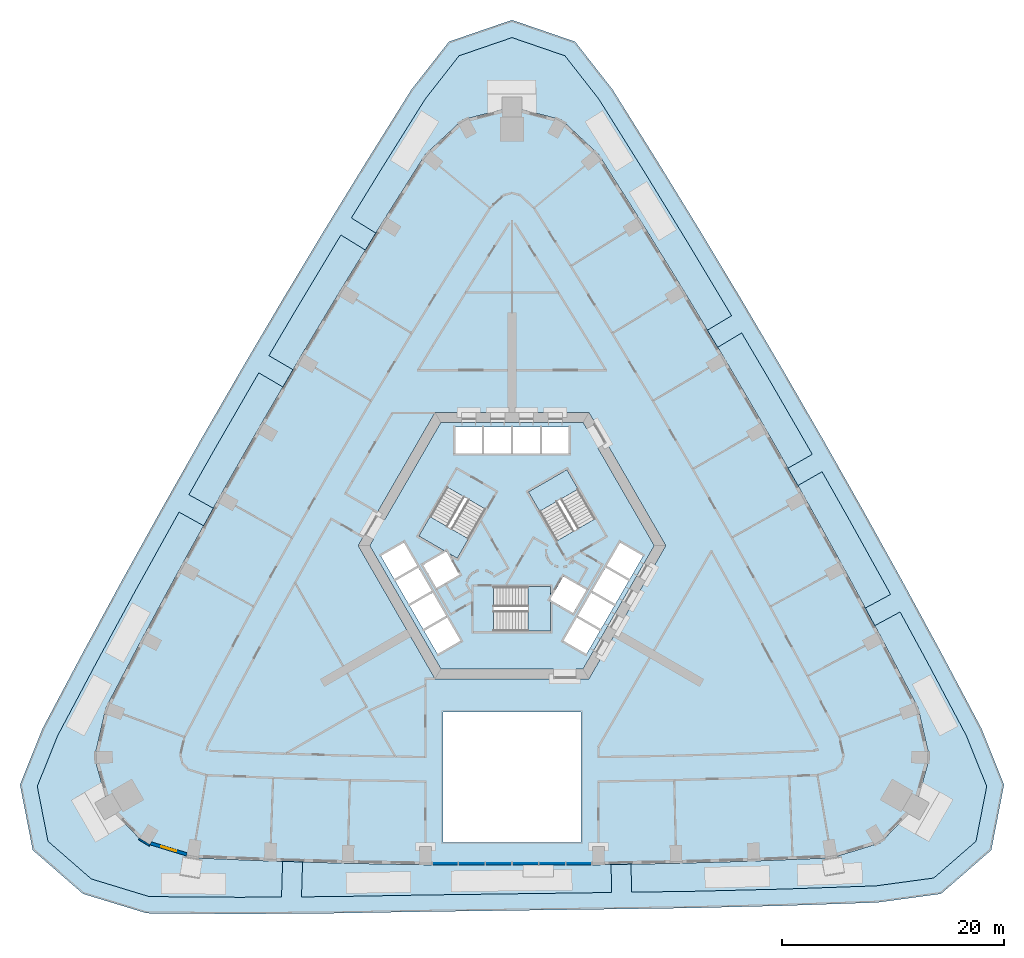
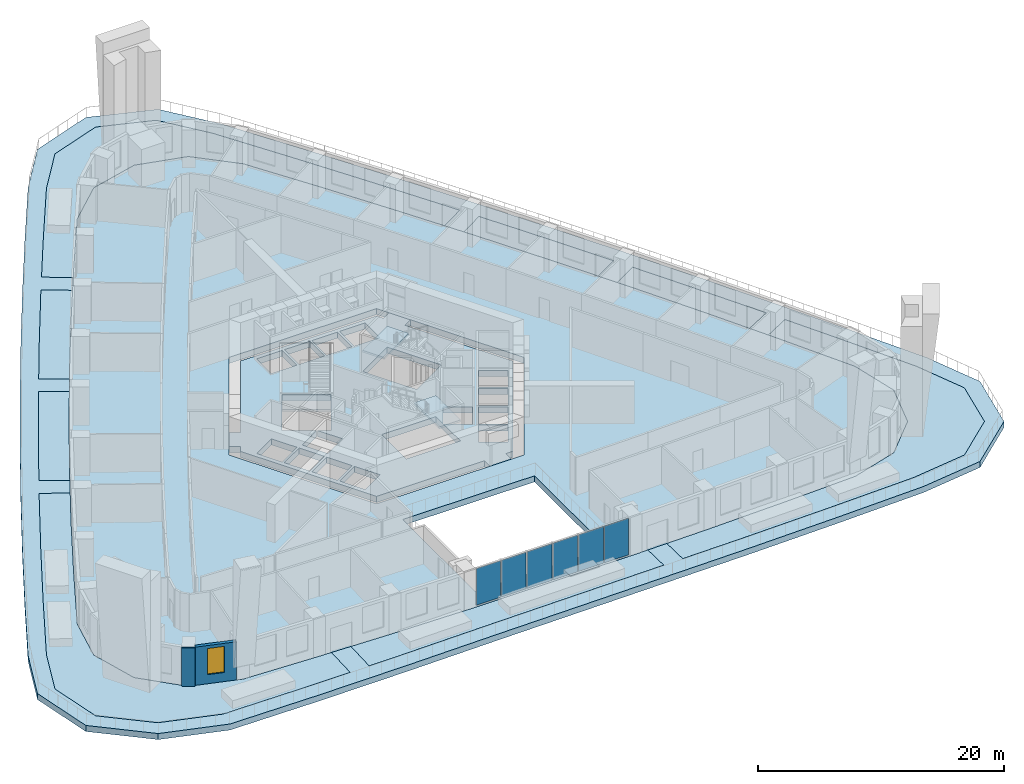
# One storey, part 3 of 16: 14 slabs, 6 plates, 2 walls, 1 window, 1 opening, 4 elements without a shape of their own.
"""IFC4 building model written with IfcOpenShell, lengths in metres."""

from ifc_helpers import new_model, si_unit, direction, frame, frame_2d, origin, origin_2d, place, context, subcontext, project, spatial, polyline, rectangle, outline, extrude, material, layer, layer_set, type_object, element, fill, aggregate, save


model = new_model("IFC4")

# Units and contexts
model_context = context("Model", 3, precision=1e-05, world=origin(), true_north=direction((0.0, 1.0)))
body_context = subcontext(model_context, "Body", "Model", "MODEL_VIEW")
ifc_project = project(units=[si_unit("LENGTHUNIT", "METRE"), si_unit("AREAUNIT", "SQUARE_METRE"), si_unit("VOLUMEUNIT", "CUBIC_METRE"), si_unit("PLANEANGLEUNIT", "RADIAN"), si_unit("MASSUNIT", "GRAM", prefix="KILO")], contexts=[model_context])

# Site, building, storey
site_placement = place(None, origin())
site = spatial("IfcSite", under=ifc_project, at=site_placement, CompositionType="ELEMENT")
building_placement = place(site_placement, origin())
building = spatial("IfcBuilding", under=site, at=building_placement, Name="Entoto Arch Interchange Tower", CompositionType="ELEMENT")
storey_placement = place(building_placement, frame((0.0, 0.0, 86.60009765625)))
storey = spatial("IfcBuildingStorey", under=building, at=storey_placement, Name="L18", CompositionType="ELEMENT", Elevation=86.60009765625)

# Slab
ifc_material_1 = material(Name="Concrete C40/50", Category="concrete")
ifc_layer_1 = layer(ifc_material_1, 0.60009765625)
ifc_layer_set_1 = layer_set([ifc_layer_1], Name="Concrete C40/50")
slab_type_1 = type_object("IfcSlabType", Name="Core floor slab 600 C40/50", PredefinedType="FLOOR", material=ifc_layer_set_1)
slab_1_placement = place(storey_placement, frame((0.0, 0.0, -0.60009765625)))
element("IfcSlab", 1, at=slab_1_placement, inside=storey, type_object=slab_type_1, Name="Core floor slab L18", PredefinedType="FLOOR", context=body_context, shape_type="SweptSolid", body=[
    extrude(outline(polyline([(5.75, -9.5), (3.75, -9.5), (3.75, -8.60009765625), (-6.408935546875, -8.60009765625), (-12.81689453125, 2.5), (-12.488037109375, 3.070068359375), (-13.26708984375, 3.52001953125), (-12.26708984375, 5.251953125), (-11.488037109375, 4.802001953125), (-6.408935546875, 13.60009765625), (6.408935546875, 13.60009765625), (6.738037109375, 13.030029296875), (7.51708984375, 13.47998046875), (8.51708984375, 11.748046875), (7.738037109375, 11.298095703125), (12.81689453125, 2.5), (6.408935546875, -8.60009765625), (5.75, -8.60009765625), (5.75, -9.5)]), holes=[polyline([(-4.637939453125, -6.06689453125), (-5.837890625, -3.988037109375), (-7.916015625, -5.18798828125), (-6.716064453125, -7.26708984375), (-4.637939453125, -6.06689453125)]), polyline([(-5.93798828125, -3.81494140625), (-7.137939453125, -1.737060546875), (-9.216064453125, -2.93701171875), (-8.01611328125, -5.014892578125), (-5.93798828125, -3.81494140625)]), polyline([(5.5048828125, -3.56494140625), (6.705078125, -1.487060546875), (4.626953125, -0.287109375), (3.449951171875, -2.324951171875), (3.449951171875, -1.199951171875), (-1.64990234375, -1.199951171875), (-1.64990234375, -5.199951171875), (3.449951171875, -5.199951171875), (3.449951171875, -2.3779296875), (5.5048828125, -3.56494140625)]), polyline([(-7.238037109375, -1.56298828125), (-8.43798828125, 0.514892578125), (-10.51611328125, -0.68505859375), (-9.31591796875, -2.762939453125), (-7.238037109375, -1.56298828125)]), polyline([(-4.72705078125, -0.113037109375), (-5.904052734375, 1.925048828125), (-4.928955078125, 1.362060546875), (-2.37890625, 5.779052734375), (-5.843017578125, 7.779052734375), (-8.39306640625, 3.362060546875), (-5.949951171875, 1.951904296875), (-8.0048828125, 0.764892578125), (-6.804931640625, -1.31298828125), (-4.72705078125, -0.113037109375)]), polyline([(-8.5380859375, 0.68798828125), (-9.738037109375, 2.76708984375), (-11.81591796875, 1.56689453125), (-10.615966796875, -0.511962890625), (-8.5380859375, 0.68798828125)]), polyline([(-5.10009765625, 10.800048828125), (-2.699951171875, 10.800048828125), (-2.699951171875, 13.199951171875), (-5.10009765625, 13.199951171875), (-5.10009765625, 10.800048828125)]), polyline([(-2.5, 10.800048828125), (-0.10009765625, 10.800048828125), (-0.10009765625, 13.199951171875), (-2.5, 13.199951171875), (-2.5, 10.800048828125)]), polyline([(5.837890625, -3.988037109375), (4.637939453125, -6.06689453125), (6.716064453125, -7.26708984375), (7.916015625, -5.18798828125), (5.837890625, -3.988037109375)]), polyline([(7.137939453125, -1.737060546875), (5.93798828125, -3.81494140625), (8.01611328125, -5.014892578125), (9.216064453125, -2.93701171875), (7.137939453125, -1.737060546875)]), polyline([(8.43798828125, 0.514892578125), (7.238037109375, -1.56298828125), (9.31591796875, -2.762939453125), (10.51611328125, -0.68505859375), (8.43798828125, 0.514892578125)]), polyline([(9.738037109375, 2.76708984375), (8.5380859375, 0.68798828125), (10.615966796875, -0.511962890625), (11.81591796875, 1.56689453125), (9.738037109375, 2.76708984375)]), polyline([(4.029052734375, 2.9208984375), (7.492919921875, 4.9208984375), (4.943115234375, 9.337890625), (1.47900390625, 7.337890625), (4.029052734375, 2.9208984375)]), polyline([(0.10009765625, 13.199951171875), (0.10009765625, 10.800048828125), (2.5, 10.800048828125), (2.5, 13.199951171875), (0.10009765625, 13.199951171875)]), polyline([(2.699951171875, 13.199951171875), (2.699951171875, 10.800048828125), (5.10009765625, 10.800048828125), (5.10009765625, 13.199951171875), (2.699951171875, 13.199951171875)])]), origin(), (0.0, 0.0, 1.0), 0.60009765625),
])

# Stair, slab
stair_type = type_object("IfcStairType", Name="EXIT STAIR RC 1800", PredefinedType="HALF_TURN_STAIR", material=ifc_material_1)
stair_1_placement = place(storey_placement, origin())
stair_1 = element("IfcStair", 2, at=stair_1_placement, inside=storey, type_object=stair_type, Name="L18 Exit stair S", PredefinedType="HALF_TURN_STAIR")
ifc_layer_2 = layer(ifc_material_1, 0.199951171875)
ifc_layer_set_2 = layer_set([ifc_layer_2], Name="Concrete C40/50")
slab_type_2 = type_object("IfcSlabType", Name="EXIT STAIR LANDING RC 200", PredefinedType="LANDING", material=ifc_layer_set_2)
slab_2_placement = place(storey_placement, frame((0.0, 0.0, 1.89990234375)))
slab_2 = element("IfcSlab", 3, at=slab_2_placement, type_object=slab_type_2, Name="ST-S landing 1", PredefinedType="LANDING", context=body_context, shape_type="SweptSolid", body=[
    extrude(outline(polyline([(1.429931640625, -5.199951171875), (3.449951171875, -5.199951171875), (3.449951171875, -1.199951171875), (1.429931640625, -1.199951171875), (1.429931640625, -5.199951171875)])), origin(), (0.0, 0.0, 1.0), 0.199951171875),
])
aggregate(stair_1, [slab_2])

stair_2_placement = place(storey_placement, origin())
stair_2 = element("IfcStair", 4, at=stair_2_placement, inside=storey, type_object=stair_type, Name="L18 Exit stair NE", PredefinedType="HALF_TURN_STAIR")
slab_3_placement = place(storey_placement, frame((0.0, 0.0, 1.89990234375)))
slab_3 = element("IfcSlab", 5, at=slab_3_placement, type_object=slab_type_2, Name="ST-NE landing 1", PredefinedType="LANDING", context=body_context, shape_type="SweptSolid", body=[
    extrude(outline(polyline([(5.953369140625, 7.58837890625), (4.943359375, 9.337890625), (1.479248046875, 7.337890625), (2.4892578125, 5.58837890625), (5.953369140625, 7.58837890625)])), origin(), (0.0, 0.0, 1.0), 0.199951171875),
])
aggregate(stair_2, [slab_3])

stair_3_placement = place(storey_placement, origin())
stair_3 = element("IfcStair", 6, at=stair_3_placement, inside=storey, type_object=stair_type, Name="L18 Exit stair NW", PredefinedType="HALF_TURN_STAIR")
slab_4_placement = place(storey_placement, frame((0.0, 0.0, 1.89990234375)))
slab_4 = element("IfcSlab", 7, at=slab_4_placement, type_object=slab_type_2, Name="ST-NW landing 1", PredefinedType="LANDING", context=body_context, shape_type="SweptSolid", body=[
    extrude(outline(polyline([(-7.38330078125, 5.111572265625), (-8.393310546875, 3.3623046875), (-4.92919921875, 1.3623046875), (-3.919189453125, 3.111572265625), (-7.38330078125, 5.111572265625)])), origin(), (0.0, 0.0, 1.0), 0.199951171875),
])
aggregate(stair_3, [slab_4])

# Curtain wall, plates
ifc_material_2 = material(Name="Aluminium, anodised", Category="aluminium")
curtain_wall_type = type_object("IfcCurtainWallType", Name="CURTAIN WALL ATRIUM", PredefinedType="NOTDEFINED", material=ifc_material_2)
curtain_wall_placement = place(storey_placement, origin())
curtain_wall = element("IfcCurtainWall", 8, at=curtain_wall_placement, inside=storey, type_object=curtain_wall_type, Name="Atrium glazing S-04 L18", PredefinedType="NOTDEFINED")
ifc_material_3 = material(Name="Clear glass, low-e double glazed", Category="glass")
ifc_layer_3 = layer(ifc_material_3, 0.031982421875)
ifc_layer_set_3 = layer_set([ifc_layer_3], Name="Clear glass, low-e double glazed")
plate_type = type_object("IfcPlateType", Name="GLAZING PANEL ATRIUM 32", PredefinedType="CURTAIN_PANEL", material=ifc_layer_set_3)
plate_1_placement = place(storey_placement, frame((-6.0166015625, -26.1259765625, 0.080078125), z_axis=(0.0, 0.0, 1.0), x_axis=(1.0, 0.0, 0.0)))
plate_1 = element("IfcPlate", 9, at=plate_1_placement, type_object=plate_type, Name="CWA panel 1.1", PredefinedType="CURTAIN_PANEL", context=body_context, shape_type="SweptSolid", body=[
    extrude(rectangle(XDim=2.2666015625, YDim=0.031982421875, at=origin_2d()), origin(), (0.0, 0.0, 1.0), 3.639892578125),
])
plate_2_placement = place(storey_placement, frame((-3.625, -26.1259765625, 0.080078125), z_axis=(0.0, 0.0, 1.0), x_axis=(1.0, 0.0, 0.0)))
plate_2 = element("IfcPlate", 10, at=plate_2_placement, type_object=plate_type, Name="CWA panel 2.1", PredefinedType="CURTAIN_PANEL", context=body_context, shape_type="SweptSolid", body=[
    extrude(rectangle(XDim=2.316650390625, YDim=0.031982421875, at=origin_2d()), origin(), (0.0, 0.0, 1.0), 3.639892578125),
])
plate_3_placement = place(storey_placement, frame((-1.208251953125, -26.1259765625, 0.080078125), z_axis=(0.0, 0.0, 1.0), x_axis=(1.0, 0.0, 0.0)))
plate_3 = element("IfcPlate", 11, at=plate_3_placement, type_object=plate_type, Name="CWA panel 3.1", PredefinedType="CURTAIN_PANEL", context=body_context, shape_type="SweptSolid", body=[
    extrude(rectangle(XDim=2.316650390625, YDim=0.031982421875, at=origin_2d()), origin(), (0.0, 0.0, 1.0), 3.639892578125),
])
plate_4_placement = place(storey_placement, frame((1.208251953125, -26.1259765625, 0.080078125), z_axis=(0.0, 0.0, 1.0), x_axis=(1.0, 0.0, 0.0)))
plate_4 = element("IfcPlate", 12, at=plate_4_placement, type_object=plate_type, Name="CWA panel 4.1", PredefinedType="CURTAIN_PANEL", context=body_context, shape_type="SweptSolid", body=[
    extrude(rectangle(XDim=2.316650390625, YDim=0.031982421875, at=origin_2d()), origin(), (0.0, 0.0, 1.0), 3.639892578125),
])
plate_5_placement = place(storey_placement, frame((3.625, -26.1259765625, 0.080078125), z_axis=(0.0, 0.0, 1.0), x_axis=(1.0, 0.0, 0.0)))
plate_5 = element("IfcPlate", 13, at=plate_5_placement, type_object=plate_type, Name="CWA panel 5.1", PredefinedType="CURTAIN_PANEL", context=body_context, shape_type="SweptSolid", body=[
    extrude(rectangle(XDim=2.316650390625, YDim=0.031982421875, at=origin_2d()), origin(), (0.0, 0.0, 1.0), 3.639892578125),
])
plate_6_placement = place(storey_placement, frame((6.0166015625, -26.1259765625, 0.080078125), z_axis=(0.0, 0.0, 1.0), x_axis=(1.0, 0.0, 0.0)))
plate_6 = element("IfcPlate", 14, at=plate_6_placement, type_object=plate_type, Name="CWA panel 6.1", PredefinedType="CURTAIN_PANEL", context=body_context, shape_type="SweptSolid", body=[
    extrude(rectangle(XDim=2.2666015625, YDim=0.031982421875, at=origin_2d()), origin(), (0.0, 0.0, 1.0), 3.639892578125),
])
aggregate(curtain_wall, [plate_1, plate_2, plate_3, plate_4, plate_5, plate_6])

# Slabs
ifc_layer_4 = layer(ifc_material_1, 0.60009765625)
ifc_layer_set_4 = layer_set([ifc_layer_4], Name="Concrete C40/50")
slab_type_3 = type_object("IfcSlabType", Name="Post-tensioned flat plate 600 C40/50", PredefinedType="FLOOR", material=ifc_layer_set_4)
slab_5_placement = place(storey_placement, frame((0.0, 0.0, -0.60009765625)))
element("IfcSlab", 15, at=slab_5_placement, inside=storey, type_object=slab_type_3, Name="Floor slab L18", PredefinedType="FLOOR", context=body_context, shape_type="SweptSolid", body=[
    extrude(outline(polyline([(-28.783935546875, -25.626953125), (-21.7890625, -25.9140625), (-14.794921875, -26.1220703125), (-7.800048828125, -26.2509765625), (7.800048828125, -26.2509765625), (14.794921875, -26.1220703125), (21.7890625, -25.9140625), (28.783935546875, -25.626953125), (33.1708984375, -24.284912109375), (36.376953125, -21.0029296875), (37.616943359375, -16.5849609375), (36.5849609375, -12.114013671875), (33.243896484375, -5.738037109375), (29.8291015625, 0.59912109375), (26.339111328125, 6.89501953125), (22.77587890625, 13.14990234375), (19.14111328125, 19.363037109375), (15.43310546875, 25.532958984375), (11.653076171875, 31.658935546875), (7.802001953125, 37.740966796875), (4.446044921875, 40.868896484375), (0.0, 42.0048828125), (-4.446044921875, 40.868896484375), (-7.802001953125, 37.740966796875), (-11.653076171875, 31.658935546875), (-15.43310546875, 25.532958984375), (-19.14111328125, 19.363037109375), (-22.77587890625, 13.14990234375), (-26.339111328125, 6.89501953125), (-29.8291015625, 0.59912109375), (-33.243896484375, -5.738037109375), (-36.5849609375, -12.114013671875), (-37.616943359375, -16.5849609375), (-36.376953125, -21.0029296875), (-33.1708984375, -24.284912109375), (-28.783935546875, -25.626953125)]), holes=[polyline([(6.199951171875, -24.2509765625), (6.199951171875, -12.5), (-6.199951171875, -12.5), (-6.199951171875, -24.2509765625), (6.199951171875, -24.2509765625)]), polyline([(13.85595703125, 2.5), (6.927978515625, 14.5), (-6.927978515625, 14.5), (-13.85595703125, 2.5), (-6.927978515625, -9.5), (6.927978515625, -9.5), (13.85595703125, 2.5)])]), origin(), (0.0, 0.0, 1.0), 0.60009765625),
])
ifc_layer_5 = layer(ifc_material_1, 0.60009765625)
ifc_layer_set_5 = layer_set([ifc_layer_5], Name="Concrete C40/50")
slab_type_4 = type_object("IfcSlabType", Name="Post-tensioned planter bed slab 600 C40/50", PredefinedType="ROOF", material=ifc_layer_set_5)
slab_6_placement = place(storey_placement, frame((0.0, 0.0, -0.60009765625)))
element("IfcSlab", 16, at=slab_6_placement, inside=storey, type_object=slab_type_4, Name="Planter bed slab L18", PredefinedType="ROOF", context=body_context, shape_type="SweptSolid", body=[
    extrude(outline(polyline([(-20.666015625, -25.947021484375), (-21.7890625, -25.9140625), (-28.783935546875, -25.626953125), (-33.1708984375, -24.284912109375), (-36.376953125, -21.0029296875), (-37.616943359375, -16.5849609375), (-36.5849609375, -12.114013671875), (-33.243896484375, -5.738037109375), (-29.8291015625, 0.59912109375), (-27.781005859375, 4.29296875), (-29.992919921875, 5.51904296875), (-30.368896484375, 4.85302734375), (-33.9169921875, -1.549072265625), (-37.406982421875, -7.98388671875), (-40.9169921875, -14.593994140625), (-42.764892578125, -19.18310546875), (-41.799072265625, -24.133056640625), (-37.90087890625, -27.52587890625), (-32.681884765625, -29.116943359375), (-24.5400390625, -29.178955078125), (-20.760986328125, -29.152099609375), (-20.666015625, -25.947021484375)])), origin(), (0.0, 0.0, 1.0), 0.60009765625),
])
slab_7_placement = place(storey_placement, frame((0.0, 0.0, -0.60009765625)))
element("IfcSlab", 17, at=slab_7_placement, inside=storey, type_object=slab_type_4, Name="Planter bed slab L18", PredefinedType="ROOF", context=body_context, shape_type="SweptSolid", body=[
    extrude(outline(polyline([(-14.794921875, -26.1220703125), (-18.866943359375, -26.0009765625), (-18.9599609375, -29.138916015625), (-16.18798828125, -29.118896484375), (-7.822998046875, -28.972900390625), (7.779052734375, -28.762939453125), (8.970947265625, -28.74609375), (8.925048828125, -26.22998046875), (7.800048828125, -26.2509765625), (-7.800048828125, -26.2509765625), (-14.794921875, -26.1220703125)])), origin(), (0.0, 0.0, 1.0), 0.60009765625),
])
slab_8_placement = place(storey_placement, frame((0.0, 0.0, -0.60009765625)))
element("IfcSlab", 18, at=slab_8_placement, inside=storey, type_object=slab_type_4, Name="Planter bed slab L18", PredefinedType="ROOF", context=body_context, shape_type="SweptSolid", body=[
    extrude(outline(polyline([(14.794921875, -26.1220703125), (10.72412109375, -26.197021484375), (10.77099609375, -28.719970703125), (16.14111328125, -28.64306640625), (24.49609375, -28.43798828125), (32.783935546875, -28.15087890625), (37.998046875, -27.44189453125), (41.799072265625, -24.133056640625), (42.764892578125, -19.18310546875), (40.9169921875, -14.593994140625), (37.406982421875, -7.98388671875), (34.9619140625, -3.47705078125), (32.68701171875, -4.7041015625), (33.243896484375, -5.738037109375), (36.5849609375, -12.114013671875), (37.616943359375, -16.5849609375), (36.376953125, -21.0029296875), (33.1708984375, -24.284912109375), (28.783935546875, -25.626953125), (21.7890625, -25.9140625), (14.794921875, -26.1220703125)])), origin(), (0.0, 0.0, 1.0), 0.60009765625),
])
slab_9_placement = place(storey_placement, frame((0.0, 0.0, -0.60009765625)))
element("IfcSlab", 19, at=slab_9_placement, inside=storey, type_object=slab_type_4, Name="Planter bed slab L18", PredefinedType="ROOF", context=body_context, shape_type="SweptSolid", body=[
    extrude(outline(polyline([(29.8291015625, 0.59912109375), (31.8330078125, -3.118896484375), (34.10400390625, -1.89501953125), (33.9169921875, -1.549072265625), (30.368896484375, 4.85302734375), (27.93505859375, 9.156982421875), (25.757080078125, 7.916015625), (26.339111328125, 6.89501953125), (29.8291015625, 0.59912109375)])), origin(), (0.0, 0.0, 1.0), 0.60009765625),
])
slab_10_placement = place(storey_placement, frame((0.0, 0.0, -0.60009765625)))
element("IfcSlab", 20, at=slab_10_placement, inside=storey, type_object=slab_type_4, Name="Planter bed slab L18", PredefinedType="ROOF", context=body_context, shape_type="SweptSolid", body=[
    extrude(outline(polyline([(22.77587890625, 13.14990234375), (24.865966796875, 9.47998046875), (27.049072265625, 10.72412109375), (26.764892578125, 11.22607421875), (23.10400390625, 17.56494140625), (20.68994140625, 21.6640625), (18.535888671875, 20.3701171875), (19.14111328125, 19.363037109375), (22.77587890625, 13.14990234375)])), origin(), (0.0, 0.0, 1.0), 0.60009765625),
])
slab_11_placement = place(storey_placement, frame((0.0, 0.0, -0.60009765625)))
element("IfcSlab", 21, at=slab_11_placement, inside=storey, type_object=slab_type_4, Name="Planter bed slab L18", PredefinedType="ROOF", context=body_context, shape_type="SweptSolid", body=[
    extrude(outline(polyline([(15.43310546875, 25.532958984375), (17.60888671875, 21.9130859375), (19.77587890625, 23.215087890625), (19.387939453125, 23.8740234375), (15.615966796875, 30.14697265625), (11.7890625, 36.388916015625), (7.820068359375, 42.73095703125), (4.77099609375, 46.626953125), (0.0, 48.26611328125), (-4.77099609375, 46.626953125), (-7.820068359375, 42.73095703125), (-11.7890625, 36.388916015625), (-14.469970703125, 32.01611328125), (-12.27001953125, 30.658935546875), (-11.653076171875, 31.658935546875), (-7.802001953125, 37.740966796875), (-4.446044921875, 40.868896484375), (0.0, 42.0048828125), (4.446044921875, 40.868896484375), (7.802001953125, 37.740966796875), (11.653076171875, 31.658935546875), (15.43310546875, 25.532958984375)])), origin(), (0.0, 0.0, 1.0), 0.60009765625),
])
slab_12_placement = place(storey_placement, frame((0.0, 0.0, -0.60009765625)))
element("IfcSlab", 22, at=slab_12_placement, inside=storey, type_object=slab_type_4, Name="Planter bed slab L18", PredefinedType="ROOF", context=body_context, shape_type="SweptSolid", body=[
    extrude(outline(polyline([(-15.43310546875, 25.532958984375), (-13.215087890625, 29.126953125), (-15.410888671875, 30.48193359375), (-15.615966796875, 30.14697265625), (-19.387939453125, 23.8740234375), (-21.89697265625, 19.614990234375), (-19.73388671875, 18.34912109375), (-19.14111328125, 19.363037109375), (-15.43310546875, 25.532958984375)])), origin(), (0.0, 0.0, 1.0), 0.60009765625),
])
slab_13_placement = place(storey_placement, frame((0.0, 0.0, -0.60009765625)))
element("IfcSlab", 23, at=slab_13_placement, inside=storey, type_object=slab_type_4, Name="Planter bed slab L18", PredefinedType="ROOF", context=body_context, shape_type="SweptSolid", body=[
    extrude(outline(polyline([(-22.77587890625, 13.14990234375), (-20.64306640625, 16.7958984375), (-22.81103515625, 18.06396484375), (-23.10400390625, 17.56494140625), (-26.764892578125, 11.22607421875), (-29.10595703125, 7.0859375), (-26.908935546875, 5.866943359375), (-26.339111328125, 6.89501953125), (-22.77587890625, 13.14990234375)])), origin(), (0.0, 0.0, 1.0), 0.60009765625),
])
ifc_layer_6 = layer(ifc_material_1, 0.60009765625)
ifc_layer_set_6 = layer_set([ifc_layer_6], Name="Concrete C40/50")
slab_type_5 = type_object("IfcSlabType", Name="Post-tensioned terrace slab 600 C40/50", PredefinedType="FLOOR", material=ifc_layer_set_6)
slab_14_placement = place(storey_placement, frame((0.0, 0.0, -0.60009765625)))
element("IfcSlab", 24, at=slab_14_placement, inside=storey, type_object=slab_type_5, Name="Ring terrace slab L18", PredefinedType="FLOOR", context=body_context, shape_type="SweptSolid", body=[
    extrude(outline(polyline([(-43.173095703125, -24.926025390625), (-38.64404296875, -28.867919921875), (-32.910888671875, -30.614990234375), (-24.5400390625, -30.678955078125), (-16.169921875, -30.618896484375), (-7.800048828125, -30.472900390625), (7.800048828125, -30.262939453125), (8.9990234375, -30.24609375), (16.169921875, -30.14306640625), (24.5400390625, -29.93701171875), (32.910888671875, -29.64697265625), (38.64404296875, -28.867919921875), (43.173095703125, -24.926025390625), (44.322021484375, -19.033935546875), (42.279052734375, -13.9599609375), (38.72900390625, -7.27490234375), (35.23193359375, -0.827880859375), (31.677978515625, 5.5859375), (28.35205078125, 11.466064453125), (28.06689453125, 11.969970703125), (24.39990234375, 18.321044921875), (21.97509765625, 22.43701171875), (20.677001953125, 24.64111328125), (16.89794921875, 30.926025390625), (13.06396484375, 37.178955078125), (9.050048828125, 43.593994140625), (5.677978515625, 47.90087890625), (0.0, 49.85205078125), (-5.677978515625, 47.90087890625), (-9.050048828125, 43.593994140625), (-13.06396484375, 37.178955078125), (-16.68701171875, 31.27001953125), (-16.89794921875, 30.926025390625), (-20.677001953125, 24.64111328125), (-24.10498046875, 18.821044921875), (-24.39990234375, 18.321044921875), (-28.06689453125, 11.969970703125), (-31.304931640625, 6.24609375), (-31.677978515625, 5.5859375), (-35.23193359375, -0.827880859375), (-38.72900390625, -7.27490234375), (-42.279052734375, -13.9599609375), (-44.322021484375, -19.033935546875), (-43.173095703125, -24.926025390625)]), holes=[polyline([(-18.9599609375, -29.138916015625), (-16.18798828125, -29.118896484375), (-7.822998046875, -28.972900390625), (7.779052734375, -28.762939453125), (8.970947265625, -28.74609375), (8.925048828125, -26.22998046875), (10.72412109375, -26.197021484375), (10.77099609375, -28.719970703125), (16.14111328125, -28.64306640625), (24.49609375, -28.43798828125), (32.783935546875, -28.15087890625), (37.998046875, -27.44189453125), (41.799072265625, -24.133056640625), (42.764892578125, -19.18310546875), (40.9169921875, -14.593994140625), (37.406982421875, -7.98388671875), (34.9619140625, -3.47705078125), (32.68701171875, -4.7041015625), (31.8330078125, -3.118896484375), (34.10400390625, -1.89501953125), (33.9169921875, -1.549072265625), (30.368896484375, 4.85302734375), (27.93505859375, 9.156982421875), (25.757080078125, 7.916015625), (24.865966796875, 9.47998046875), (27.049072265625, 10.72412109375), (26.764892578125, 11.22607421875), (23.10400390625, 17.56494140625), (20.68994140625, 21.6640625), (18.535888671875, 20.3701171875), (17.60888671875, 21.9130859375), (19.77587890625, 23.215087890625), (19.387939453125, 23.8740234375), (15.615966796875, 30.14697265625), (11.7890625, 36.388916015625), (7.820068359375, 42.73095703125), (4.77099609375, 46.626953125), (0.0, 48.26611328125), (-4.77099609375, 46.626953125), (-7.820068359375, 42.73095703125), (-11.7890625, 36.388916015625), (-14.469970703125, 32.01611328125), (-12.27001953125, 30.658935546875), (-13.215087890625, 29.126953125), (-15.410888671875, 30.48193359375), (-15.615966796875, 30.14697265625), (-19.387939453125, 23.8740234375), (-21.89697265625, 19.614990234375), (-19.73388671875, 18.34912109375), (-20.64306640625, 16.7958984375), (-22.81103515625, 18.06396484375), (-23.10400390625, 17.56494140625), (-26.764892578125, 11.22607421875), (-29.10595703125, 7.0859375), (-26.908935546875, 5.866943359375), (-27.781005859375, 4.29296875), (-29.992919921875, 5.51904296875), (-30.368896484375, 4.85302734375), (-33.9169921875, -1.549072265625), (-37.406982421875, -7.98388671875), (-40.9169921875, -14.593994140625), (-42.764892578125, -19.18310546875), (-41.799072265625, -24.133056640625), (-37.90087890625, -27.52587890625), (-32.681884765625, -29.116943359375), (-24.5400390625, -29.178955078125), (-20.760986328125, -29.152099609375), (-20.666015625, -25.947021484375), (-18.866943359375, -26.0009765625), (-18.9599609375, -29.138916015625)])]), origin(), (0.0, 0.0, 1.0), 0.60009765625),
])

# Wall, opening, window
ifc_material_4 = material(Name="Welded tuff (ignimbrite) cladding, warm buff", Category="masonry")
ifc_layer_7 = layer(ifc_material_4, 0.300048828125)
ifc_layer_set_7 = layer_set([ifc_layer_7], Name="Welded tuff (ignimbrite) cladding, warm buff")
wall_type_1 = type_object("IfcWallType", Name="STONE INFILL WALL 300", PredefinedType="STANDARD", material=ifc_layer_set_7)
wall_1_placement = place(storey_placement, frame((-32.549072265625, -24.319091796875, 0.0), z_axis=(0.0, 0.0, 1.0), x_axis=(0.956317661006, -0.292329490895, 0.0)))
wall_1 = element("IfcWall", 25, at=wall_1_placement, inside=storey, type_object=wall_type_1, Name="Facade wall SW-04 L18", PredefinedType="STANDARD", context=body_context, shape_type="SweptSolid", body=[
    extrude(rectangle(XDim=3.409912109375, YDim=0.300048828125, at=frame_2d((1.705078125, 0.0))), origin(), (0.0, 0.0, 1.0), 3.7998046875),
])
opening_placement = place(wall_1_placement, frame((1.0048828125, 0.0, 0.89990234375)))
opening = element("IfcOpeningElement", 26, at=opening_placement, cuts=wall_1, Name="Opening WO-B", PredefinedType="OPENING", context=body_context, shape_type="SweptSolid", body=[
    extrude(rectangle(XDim=1.39990234375, YDim=2.60009765625, at=frame_2d((0.699951171875, 1.300048828125))), frame((0.0, 0.16015625, 0.0), z_axis=(0.0, -1.0, 0.0), x_axis=(1.0, 0.0, 0.0)), (0.0, 0.0, 1.0), 0.320068359375),
])
window_type = type_object("IfcWindowType", Name="WINDOW WO-B 1400x2600", PartitioningType="DOUBLE_PANEL_VERTICAL", PredefinedType="WINDOW", material=ifc_material_3)
window_placement = place(opening_placement, origin())
window = element("IfcWindow", 27, at=window_placement, inside=storey, type_object=window_type, Name="Window WO-B SW-04 L18", OverallHeight=2.60009765625, OverallWidth=1.39990234375, PartitioningType="SINGLE_PANEL", PredefinedType="WINDOW", context=body_context, shape_type="SweptSolid", body=[
    extrude(rectangle(XDim=1.39990234375, YDim=2.60009765625, at=frame_2d((0.699951171875, 1.300048828125))), frame((0.0, 0.030029296875, 0.0), z_axis=(0.0, -1.0, 0.0), x_axis=(1.0, 0.0, 0.0)), (0.0, 0.0, 1.0), 0.06005859375),
])
fill(opening, window)

# Wall
ifc_layer_8 = layer(ifc_material_4, 0.14990234375)
ifc_layer_set_8 = layer_set([ifc_layer_8], Name="Welded tuff (ignimbrite) cladding, warm buff")
wall_type_2 = type_object("IfcWallType", Name="STONE PIER CLADDING 150", PredefinedType="STANDARD", material=ifc_layer_set_8)
wall_2_placement = place(storey_placement, frame((-33.60205078125, -23.93505859375, 0.0), z_axis=(0.0, 0.0, 1.0), x_axis=(0.854245682901, -0.519869515594, 0.0)))
element("IfcWall", 28, at=wall_2_placement, inside=storey, type_object=wall_type_2, Name="Stone pier SW3 L18", PredefinedType="STANDARD", context=body_context, shape_type="SweptSolid", body=[
    extrude(rectangle(XDim=1.100341796875, YDim=0.14990234375, at=frame_2d((0.55029296875, 0.0))), origin(), (0.0, 0.0, 1.0), 3.7998046875),
])

save(model, "model.ifc")
